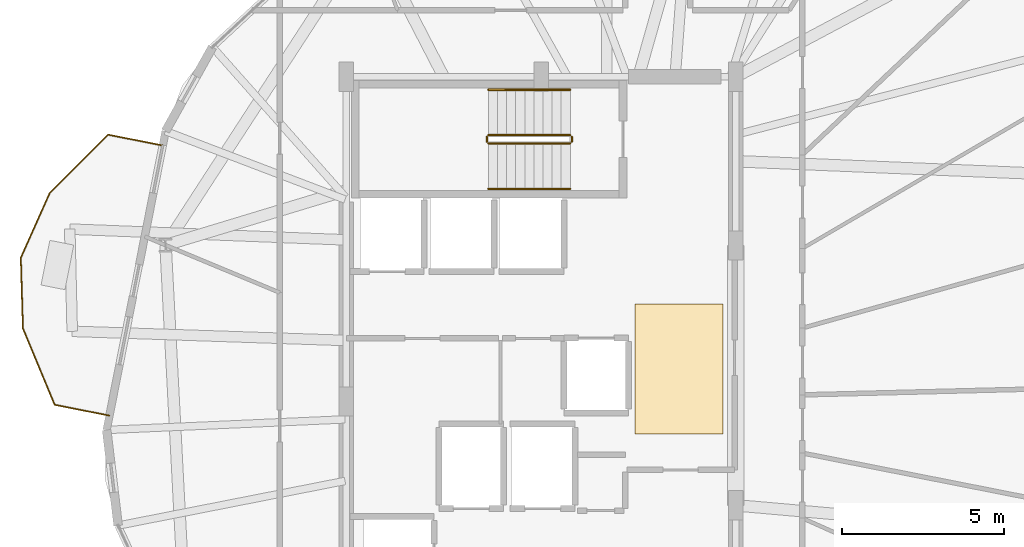
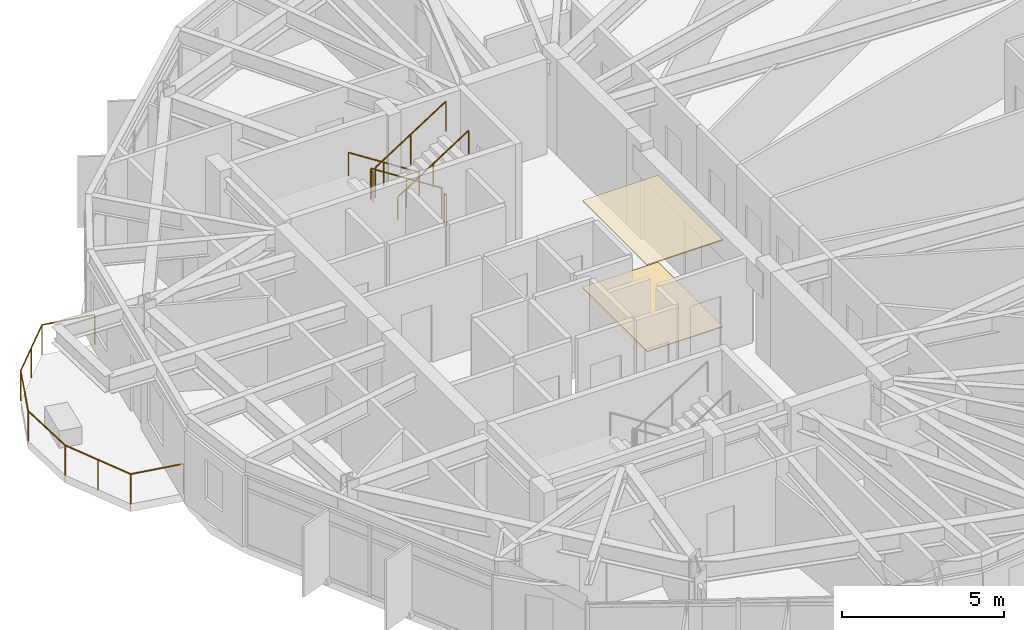
# One storey, part 24 of 25: 7 railings, 2 coverings.
"""IFC4 building model written with IfcOpenShell, lengths in metres."""

from ifc_helpers import new_model, si_unit, direction, frame, origin, origin_2d, place, context, subcontext, project, spatial, polyline, circle, outline, extrude, material, layer, layer_set, type_object, element, save


model = new_model("IFC4")

# Units and contexts
model_context = context("Model", 3, precision=1e-05, world=origin(), true_north=direction((0.0, 1.0)))
body_context = subcontext(model_context, "Body", "Model", "MODEL_VIEW")
ifc_project = project(units=[si_unit("LENGTHUNIT", "METRE"), si_unit("AREAUNIT", "SQUARE_METRE"), si_unit("VOLUMEUNIT", "CUBIC_METRE"), si_unit("PLANEANGLEUNIT", "RADIAN"), si_unit("MASSUNIT", "GRAM", prefix="KILO")], contexts=[model_context])

# Site, building, storey
site_placement = place(None, origin())
site = spatial("IfcSite", under=ifc_project, at=site_placement, CompositionType="ELEMENT")
building_placement = place(site_placement, origin())
building = spatial("IfcBuilding", under=site, at=building_placement, Name="Soratama Intermodal Tower", CompositionType="ELEMENT")
storey_placement = place(building_placement, frame((0.0, 0.0, 190.60009765625)))
storey = spatial("IfcBuildingStorey", under=building, at=storey_placement, Name="L47", CompositionType="ELEMENT", Elevation=190.60009765625)

# Coverings
ifc_material_1 = material(Name="Perforated mineral acoustic ceiling", Category="concrete")
ifc_layer_1 = layer(ifc_material_1, 0.0400390625)
ifc_layer_set_1 = layer_set([ifc_layer_1], Name="Perforated mineral acoustic ceiling")
covering_type_1 = type_object("IfcCoveringType", Name="CV-CEIL-ACOUSTIC", PredefinedType="CEILING", material=ifc_layer_set_1)
covering_1_placement = place(storey_placement, frame((0.0, 0.0, 3.260009765625)))
element("IfcCovering", 1, at=covering_1_placement, inside=storey, type_object=covering_type_1, Name="L47 Acoustic Ceiling", PredefinedType="CEILING", context=body_context, shape_type="SweptSolid", body=[
    extrude(outline(polyline([(41.5, 24.0), (44.199951171875, 24.0), (44.199951171875, 28.0), (41.5, 28.0), (41.5, 24.0)])), origin(), (0.0, 0.0, 1.0), 0.039794921875),
])
ifc_material_2 = material(Name="Polished Andean stone terrazzo flooring", Category="masonry")
ifc_layer_2 = layer(ifc_material_2, 0.030029296875)
ifc_layer_set_2 = layer_set([ifc_layer_2], Name="Polished Andean stone terrazzo flooring")
covering_type_2 = type_object("IfcCoveringType", Name="CV-FLOR-TERRAZZO", PredefinedType="FLOORING", material=ifc_layer_set_2)
covering_2_placement = place(storey_placement, origin())
element("IfcCovering", 2, at=covering_2_placement, inside=storey, type_object=covering_type_2, Name="L47 Lobby Terrazzo Flooring", PredefinedType="FLOORING", context=body_context, shape_type="SweptSolid", body=[
    extrude(outline(polyline([(41.5, 24.0), (44.199951171875, 24.0), (44.199951171875, 28.0), (41.5, 28.0), (41.5, 24.0)])), origin(), (0.0, 0.0, 1.0), 0.02978515625),
])

# Railings
ifc_material_3 = material(Name="Laminated glass and stainless steel balustrade", Category="steel")
railing_type_1 = type_object("IfcRailingType", Name="RL-BAL-1150", PredefinedType="BALUSTRADE", material=ifc_material_3)
railing_1_placement = place(storey_placement, frame((25.30517578125, 24.5625, 0.0)))
element("IfcRailing", 3, at=railing_1_placement, inside=storey, type_object=railing_type_1, Name="L47 Balcony Balustrade 3", PredefinedType="BALUSTRADE", context=body_context, shape_type="SweptSolid", body=[
    extrude(circle(Radius=0.02392578125, at=origin_2d()), frame((0.0, 0.0, 1.1259765625), z_axis=(-0.981079704453, 0.193604270381, 0.0), x_axis=(-0.193604270381, -0.981079704453, 0.0)), (0.0, 0.0, 1.0), 1.719970703125),
    extrude(circle(Radius=0.02392578125, at=origin_2d()), frame((-1.6875, 0.3330078125, 1.1259765625), z_axis=(-0.383642767402, 0.923481579145, 0.0), x_axis=(-0.923481579145, -0.383642767402, 0.0)), (0.0, 0.0, 1.0), 2.54931640625),
    extrude(circle(Radius=0.02392578125, at=origin_2d()), frame((-2.66552734375, 2.687255859375, 1.1259765625), z_axis=(-0.029966325248, 0.999550908834, 0.0), x_axis=(-0.999550908834, -0.029966325248, 0.0)), (0.0, 0.0, 1.0), 2.17529296875),
    extrude(circle(Radius=0.02392578125, at=origin_2d()), frame((-2.730712890625, 4.861572265625, 1.1259765625), z_axis=(0.407408513324, 0.913246025598, 0.0), x_axis=(-0.913246025598, 0.407408513324, 0.0)), (0.0, 0.0, 1.0), 2.17529296875),
    extrude(circle(Radius=0.02392578125, at=origin_2d()), frame((-1.844482421875, 6.84814453125, 1.1259765625), z_axis=(0.705572932401, 0.708637309957, 0.0), x_axis=(-0.708637309957, 0.705572932401, 0.0)), (0.0, 0.0, 1.0), 2.549560546875),
    extrude(circle(Radius=0.02392578125, at=origin_2d()), frame((-0.045654296875, 8.65478515625, 1.1259765625), z_axis=(0.981079704453, -0.193604270381, 0.0), x_axis=(0.193604270381, 0.981079704453, 0.0)), (0.0, 0.0, 1.0), 1.719970703125),
    extrude(circle(Radius=0.02099609375, at=origin_2d()), origin(), (0.0, 0.0, 1.0), 1.101806640625),
    extrude(circle(Radius=0.02099609375, at=origin_2d()), frame((-1.6875, 0.3330078125, 0.0)), (0.0, 0.0, 1.0), 1.101806640625),
    extrude(circle(Radius=0.02099609375, at=origin_2d()), frame((-2.176513671875, 1.51025390625, 0.0)), (0.0, 0.0, 1.0), 1.101806640625),
    extrude(circle(Radius=0.02099609375, at=origin_2d()), frame((-2.66552734375, 2.687255859375, 0.0)), (0.0, 0.0, 1.0), 1.101806640625),
    extrude(circle(Radius=0.02099609375, at=origin_2d()), frame((-2.730712890625, 4.861572265625, 0.0)), (0.0, 0.0, 1.0), 1.101806640625),
    extrude(circle(Radius=0.02099609375, at=origin_2d()), frame((-1.844482421875, 6.84814453125, 0.0)), (0.0, 0.0, 1.0), 1.101806640625),
    extrude(circle(Radius=0.02099609375, at=origin_2d()), frame((-0.945068359375, 7.75146484375, 0.0)), (0.0, 0.0, 1.0), 1.101806640625),
    extrude(circle(Radius=0.02099609375, at=origin_2d()), frame((-0.045654296875, 8.65478515625, 0.0)), (0.0, 0.0, 1.0), 1.101806640625),
    extrude(circle(Radius=0.02099609375, at=origin_2d()), frame((1.641845703125, 8.32177734375, 0.0)), (0.0, 0.0, 1.0), 1.101806640625),
])
ifc_material_4 = material(Name="Painted steel stair guardrail", Category="steel")
railing_type_2 = type_object("IfcRailingType", Name="RL-STAIR-GUARD", PredefinedType="GUARDRAIL", material=ifc_material_4)
railing_2_placement = place(storey_placement, frame((39.5, 33.199951171875, 0.179931640625)))
element("IfcRailing", 4, at=railing_2_placement, inside=storey, type_object=railing_type_2, Name="L47 ST-2 stair guard 1", PredefinedType="GUARDRAIL", context=body_context, shape_type="SweptSolid", body=[
    extrude(circle(Radius=0.02392578125, at=origin_2d()), frame((0.0, 0.0, 1.1259765625), z_axis=(-0.841199657755, 0.0, 0.540724639528), x_axis=(0.0, -1.0, 0.0)), (0.0, 0.0, 1.0), 2.995849609375),
    extrude(circle(Radius=0.02099609375, at=origin_2d()), origin(), (0.0, 0.0, 1.0), 1.101806640625),
    extrude(circle(Radius=0.02099609375, at=origin_2d()), frame((-1.260009765625, 0.0, 0.81005859375)), (0.0, 0.0, 1.0), 1.101806640625),
    extrude(circle(Radius=0.02099609375, at=origin_2d()), frame((-2.52001953125, 0.0, 1.619873046875)), (0.0, 0.0, 1.0), 1.101806640625),
])
railing_3_placement = place(storey_placement, frame((36.929931640625, 33.14990234375, 1.7998046875)))
element("IfcRailing", 5, at=railing_3_placement, inside=storey, type_object=railing_type_2, Name="L47 ST-2 stair guard 2", PredefinedType="GUARDRAIL", context=body_context, shape_type="SweptSolid", body=[
    extrude(circle(Radius=0.02392578125, at=origin_2d()), frame((0.0, 0.0, 1.1259765625), z_axis=(0.0, -1.0, 0.0), x_axis=(1.0, 0.0, 0.0)), (0.0, 0.0, 1.0), 0.14990234375),
    extrude(circle(Radius=0.02099609375, at=origin_2d()), origin(), (0.0, 0.0, 1.0), 1.101806640625),
    extrude(circle(Radius=0.02099609375, at=origin_2d()), frame((0.0, -0.14990234375, 0.0)), (0.0, 0.0, 1.0), 1.101806640625),
])
railing_4_placement = place(storey_placement, frame((36.97998046875, 32.949951171875, 1.97998046875)))
element("IfcRailing", 6, at=railing_4_placement, inside=storey, type_object=railing_type_2, Name="L47 ST-2 stair guard 3", PredefinedType="GUARDRAIL", context=body_context, shape_type="SweptSolid", body=[
    extrude(circle(Radius=0.02392578125, at=origin_2d()), frame((0.0, 0.0, 1.1259765625), z_axis=(0.841199657755, 0.0, 0.540724639528), x_axis=(0.0, 1.0, 0.0)), (0.0, 0.0, 1.0), 2.995849609375),
    extrude(circle(Radius=0.02099609375, at=origin_2d()), origin(), (0.0, 0.0, 1.0), 1.101806640625),
    extrude(circle(Radius=0.02099609375, at=origin_2d()), frame((1.260009765625, 0.0, 0.81005859375)), (0.0, 0.0, 1.0), 1.101806640625),
    extrude(circle(Radius=0.02099609375, at=origin_2d()), frame((2.52001953125, 0.0, 1.619873046875)), (0.0, 0.0, 1.0), 1.101806640625),
])
railing_5_placement = place(storey_placement, frame((39.550048828125, 33.14990234375, 0.0)))
element("IfcRailing", 7, at=railing_5_placement, inside=storey, type_object=railing_type_2, Name="L47 ST-2 stair guard 4", PredefinedType="GUARDRAIL", context=body_context, shape_type="SweptSolid", body=[
    extrude(circle(Radius=0.02392578125, at=origin_2d()), frame((0.0, 0.0, 1.1259765625), z_axis=(0.0, -1.0, 0.0), x_axis=(1.0, 0.0, 0.0)), (0.0, 0.0, 1.0), 0.14990234375),
    extrude(circle(Radius=0.02099609375, at=origin_2d()), origin(), (0.0, 0.0, 1.0), 1.101806640625),
    extrude(circle(Radius=0.02099609375, at=origin_2d()), frame((0.0, -0.14990234375, 0.0)), (0.0, 0.0, 1.0), 1.101806640625),
])
ifc_material_5 = material(Name="Brushed stainless steel handrail", Category="steel")
railing_type_3 = type_object("IfcRailingType", Name="RL-STAIR-HAND", PredefinedType="HANDRAIL", material=ifc_material_5)
railing_6_placement = place(storey_placement, frame((39.5, 34.60009765625, 0.179931640625)))
element("IfcRailing", 8, at=railing_6_placement, inside=storey, type_object=railing_type_3, Name="L47 ST-2 stair handrail 1", PredefinedType="HANDRAIL", context=body_context, shape_type="SweptSolid", body=[
    extrude(circle(Radius=0.02392578125, at=origin_2d()), frame((0.0, 0.0, 0.8759765625), z_axis=(-0.841199657755, 0.0, 0.540724639528), x_axis=(0.0, -1.0, 0.0)), (0.0, 0.0, 1.0), 2.995849609375),
    extrude(circle(Radius=0.02099609375, at=origin_2d()), origin(), (0.0, 0.0, 1.0), 0.851806640625),
    extrude(circle(Radius=0.02099609375, at=origin_2d()), frame((-1.260009765625, 0.0, 0.81005859375)), (0.0, 0.0, 1.0), 0.851806640625),
    extrude(circle(Radius=0.02099609375, at=origin_2d()), frame((-2.52001953125, 0.0, 1.619873046875)), (0.0, 0.0, 1.0), 0.851806640625),
])
railing_7_placement = place(storey_placement, frame((36.97998046875, 31.550048828125, 1.97998046875)))
element("IfcRailing", 9, at=railing_7_placement, inside=storey, type_object=railing_type_3, Name="L47 ST-2 stair handrail 2", PredefinedType="HANDRAIL", context=body_context, shape_type="SweptSolid", body=[
    extrude(circle(Radius=0.02392578125, at=origin_2d()), frame((0.0, 0.0, 0.8759765625), z_axis=(0.841199657755, 0.0, 0.540724639528), x_axis=(0.0, 1.0, 0.0)), (0.0, 0.0, 1.0), 2.995849609375),
    extrude(circle(Radius=0.02099609375, at=origin_2d()), origin(), (0.0, 0.0, 1.0), 0.851806640625),
    extrude(circle(Radius=0.02099609375, at=origin_2d()), frame((1.260009765625, 0.0, 0.81005859375)), (0.0, 0.0, 1.0), 0.851806640625),
    extrude(circle(Radius=0.02099609375, at=origin_2d()), frame((2.52001953125, 0.0, 1.619873046875)), (0.0, 0.0, 1.0), 0.851806640625),
])

save(model, "model.ifc")
